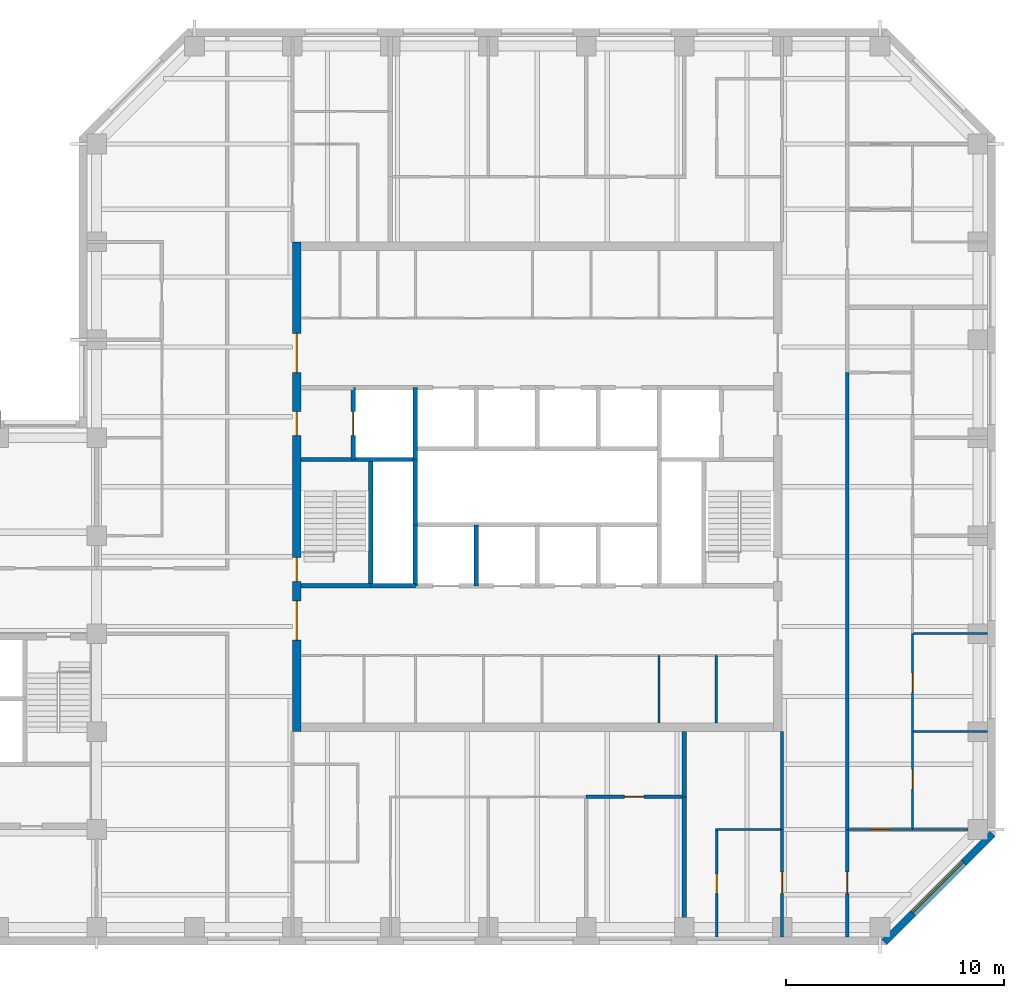
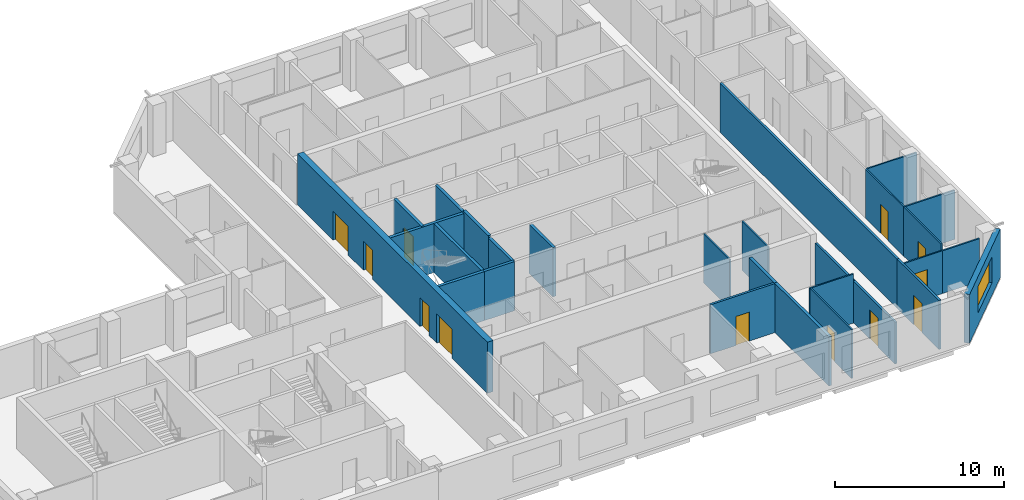
# One storey, part 5 of 10: 28 walls, 12 doors, 1 window, 13 openings.
"""IFC4 building model written with IfcOpenShell, lengths in metres."""

from ifc_helpers import new_model, si_unit, direction, frame, frame_2d, origin, place, context, subcontext, project, spatial, rectangle, extrude, material, layer, layer_set, constituent, constituent_set, type_object, element, fill, save


model = new_model("IFC4")

# Units and contexts
model_context = context("Model", 3, precision=1e-05, world=origin(), true_north=direction((0.0, 1.0)))
body_context = subcontext(model_context, "Body", "Model", "MODEL_VIEW")
ifc_project = project(units=[si_unit("LENGTHUNIT", "METRE"), si_unit("AREAUNIT", "SQUARE_METRE"), si_unit("VOLUMEUNIT", "CUBIC_METRE"), si_unit("PLANEANGLEUNIT", "RADIAN"), si_unit("MASSUNIT", "GRAM", prefix="KILO")], contexts=[model_context])

# Site, building, storey
site_placement = place(None, origin())
site = spatial("IfcSite", under=ifc_project, at=site_placement, CompositionType="ELEMENT")
building_placement = place(site_placement, origin())
building = spatial("IfcBuilding", under=site, at=building_placement, Name="Quoin Convention Tower", CompositionType="ELEMENT")
storey_placement = place(building_placement, frame((0.0, 0.0, 184.699951171875)))
storey = spatial("IfcBuildingStorey", under=building, at=storey_placement, Name="L48", CompositionType="ELEMENT", Elevation=184.699951171875)

# Wall, opening, door
ifc_material_1 = material(Name="Plasterboard")
ifc_layer_1 = layer(ifc_material_1, 0.012451171875, Name="Finish")
ifc_material_2 = material(Name="Steel stud framing", Category="steel")
ifc_layer_2 = layer(ifc_material_2, 0.125, Name="Structure")
ifc_layer_3 = layer(ifc_material_1, 0.012451171875, Name="Finish")
ifc_layer_set_1 = layer_set([ifc_layer_1, ifc_layer_2, ifc_layer_3], Name="Steel stud framing")
wall_type_1 = type_object("IfcWallType", Name="Acoustic partition 150", PredefinedType="PARTITIONING", material=ifc_layer_set_1)
wall_1_placement = place(storey_placement, frame((58.5, 46.5, 0.0), z_axis=(0.0, 0.0, 1.0), x_axis=(1.0, 0.0, 0.0)))
wall_1 = element("IfcWall", 1, at=wall_1_placement, inside=storey, type_object=wall_type_1, Name="pw-L48-010", PredefinedType="PARTITIONING", context=body_context, shape_type="SweptSolid", body=[
    extrude(rectangle(XDim=4.39990234375, YDim=0.14990234375, at=frame_2d((2.199951171875, 0.0))), origin(), (0.0, 0.0, 1.0), 3.550048828125),
])
opening_1_placement = place(wall_1_placement, frame((1.75, 0.0, 0.0)))
opening_1 = element("IfcOpeningElement", 2, at=opening_1_placement, cuts=wall_1, Name="Opening DOH6-03", PredefinedType="OPENING", context=body_context, shape_type="SweptSolid", body=[
    extrude(rectangle(XDim=0.89990234375, YDim=2.10009765625, at=frame_2d((0.449951171875, 1.050048828125))), frame((0.0, 0.0849609375, 0.0), z_axis=(0.0, -1.0, 0.0), x_axis=(1.0, 0.0, 0.0)), (0.0, 0.0, 1.0), 0.169921875),
])
ifc_material_3 = material(Name="Steel door leaf", Category="steel")
door_type_1 = type_object("IfcDoorType", Name="Office door 900 x 2100", OperationType="SINGLE_SWING_RIGHT", PredefinedType="DOOR", material=ifc_material_3)
door_1_placement = place(opening_1_placement, origin())
door_1 = element("IfcDoor", 3, at=door_1_placement, inside=storey, type_object=door_type_1, Name="dr-L48-20", OperationType="SINGLE_SWING_RIGHT", OverallHeight=2.10009765625, OverallWidth=0.89990234375, PredefinedType="DOOR", context=body_context, shape_type="SweptSolid", body=[
    extrude(rectangle(XDim=0.89990234375, YDim=2.10009765625, at=frame_2d((0.449951171875, 1.050048828125))), frame((0.0, 0.02490234375, 0.0), z_axis=(0.0, -1.0, 0.0), x_axis=(1.0, 0.0, 0.0)), (0.0, 0.0, 1.0), 0.050048828125),
])
fill(opening_1, door_1)

# Wall, opening, window
ifc_material_4 = material(Name="Brick masonry", Category="masonry")
ifc_layer_4 = layer(ifc_material_4, 0.35009765625)
ifc_layer_set_2 = layer_set([ifc_layer_4], Name="Brick masonry")
wall_type_2 = type_object("IfcWallType", Name="Brick facade wall", PredefinedType="STANDARD", material=ifc_layer_set_2)
wall_2_placement = place(storey_placement, frame((72.20751953125, 39.82373046875, 0.0), z_axis=(0.0, 0.0, 1.0), x_axis=(0.707106781187, 0.707106781187, 0.0)))
wall_2 = element("IfcWall", 4, at=wall_2_placement, inside=storey, type_object=wall_type_2, Name="fw-L48-72000_40500", PredefinedType="STANDARD", context=body_context, shape_type="SweptSolid", body=[
    extrude(rectangle(XDim=7.02685546875, YDim=0.35009765625, at=frame_2d((3.513427734375, 0.0))), origin(), (0.0, 0.0, 1.0), 3.525146484375),
])
opening_2_placement = place(wall_2_placement, frame((1.86328125, 0.0, 0.89990234375)))
opening_2 = element("IfcOpeningElement", 5, at=opening_2_placement, cuts=wall_2, Name="Opening W-02", PredefinedType="OPENING", context=body_context, shape_type="SweptSolid", body=[
    extrude(rectangle(XDim=3.300048828125, YDim=1.89990234375, at=frame_2d((1.64990234375, 0.949951171875))), frame((0.0, 0.18505859375, 0.0), z_axis=(0.0, -1.0, 0.0), x_axis=(1.0, 0.0, 0.0)), (0.0, 0.0, 1.0), 0.3701171875),
])
ifc_material_5 = material(Name="Aluminium", Category="aluminium")
ifc_constituent_1 = constituent(ifc_material_5, Name="Frame")
ifc_material_6 = material(Name="Insulated glass", Category="glass")
ifc_constituent_2 = constituent(ifc_material_6, Name="Glazing")
ifc_constituent_set = constituent_set(constituents=[ifc_constituent_1, ifc_constituent_2], Name="Aluminium")
window_type = type_object("IfcWindowType", Name="Office window", PartitioningType="DOUBLE_PANEL_VERTICAL", PredefinedType="WINDOW", material=ifc_constituent_set)
window_placement = place(opening_2_placement, origin())
window = element("IfcWindow", 6, at=window_placement, inside=storey, type_object=window_type, Name="win-L48-74692_42308", OverallHeight=1.89990234375, OverallWidth=3.300048828125, PartitioningType="SINGLE_PANEL", PredefinedType="WINDOW", context=body_context, shape_type="SweptSolid", body=[
    extrude(rectangle(XDim=3.300048828125, YDim=1.89990234375, at=frame_2d((1.64990234375, 0.949951171875))), frame((0.0, 0.0849609375, 0.0), z_axis=(0.0, -1.0, 0.0), x_axis=(1.0, 0.0, 0.0)), (0.0, 0.0, 1.0), 0.06005859375),
])
fill(opening_2, window)

# Walls
ifc_layer_5 = layer(ifc_material_1, 0.012451171875, Name="Finish")
ifc_layer_6 = layer(ifc_material_2, 0.074951171875, Name="Structure")
ifc_layer_7 = layer(ifc_material_1, 0.012451171875, Name="Finish")
ifc_layer_set_3 = layer_set([ifc_layer_5, ifc_layer_6, ifc_layer_7], Name="Steel stud framing")
wall_type_3 = type_object("IfcWallType", Name="Core partition wall", PredefinedType="PARTITIONING", material=ifc_layer_set_3)
for number, where, z_axis, x_axis, name in (
    (7, (61.85009765625, 49.89990234375, 0.0), (0.0, 0.0, 1.0), (0.0, 1.0, 0.0), "cr-C1-L48-v16850_400"),
    (8, (64.47509765625, 49.89990234375, 0.0), (0.0, 0.0, 1.0), (0.0, 1.0, 0.0), "cr-C1-L48-v19475_400"),
):
    element("IfcWall", number, at=place(storey_placement, frame(where, z_axis=z_axis, x_axis=x_axis)), inside=storey, type_object=wall_type_3, Name=name, PredefinedType="PARTITIONING", context=body_context, shape_type="SweptSolid", body=[
        extrude(rectangle(XDim=3.10009765625, YDim=0.10009765625, at=frame_2d((1.550048828125, 0.0))), origin(), (0.0, 0.0, 1.0), 3.550048828125),
    ])
ifc_material_7 = material(Name="Concrete C50", Category="concrete")
ifc_layer_8 = layer(ifc_material_7, 0.199951171875)
ifc_layer_set_4 = layer_set([ifc_layer_8], Name="Concrete C50")
wall_type_4 = type_object("IfcWallType", Name="Core shaft wall", PredefinedType="SOLIDWALL", material=ifc_layer_set_4)
wall_3_placement = place(storey_placement, frame((48.60009765625, 56.199951171875, 0.0), z_axis=(0.0, 0.0, 1.0), x_axis=(1.0, 0.0, 0.0)))
element("IfcWall", 9, at=wall_3_placement, inside=storey, type_object=wall_type_4, Name="cr-C1-L48-h6700_3600", PredefinedType="SOLIDWALL", context=body_context, shape_type="SweptSolid", body=[
    extrude(rectangle(XDim=2.0498046875, YDim=0.199951171875, at=frame_2d((1.02490234375, 0.0))), origin(), (0.0, 0.0, 1.0), 3.550048828125),
])
wall_4_placement = place(storey_placement, frame((45.39990234375, 56.199951171875, 0.0), z_axis=(0.0, 0.0, 1.0), x_axis=(1.0, 0.0, 0.0)))
element("IfcWall", 10, at=wall_4_placement, inside=storey, type_object=wall_type_4, Name="cr-C1-L48-h6700_400", PredefinedType="SOLIDWALL", context=body_context, shape_type="SweptSolid", body=[
    extrude(rectangle(XDim=3.2001953125, YDim=0.199951171875, at=frame_2d((1.60009765625, 0.0))), origin(), (0.0, 0.0, 1.0), 3.550048828125),
])
wall_5_placement = place(storey_placement, frame((45.39990234375, 62.0, 0.0), z_axis=(0.0, 0.0, 1.0), x_axis=(1.0, 0.0, 0.0)))
element("IfcWall", 11, at=wall_5_placement, inside=storey, type_object=wall_type_4, Name="cr-C1-L48-h12500_400", PredefinedType="SOLIDWALL", context=body_context, shape_type="SweptSolid", body=[
    extrude(rectangle(XDim=5.25, YDim=0.199951171875, at=frame_2d((2.625, 0.0))), origin(), (0.0, 0.0, 1.0), 3.550048828125),
])

# Wall, opening, door
wall_6_placement = place(storey_placement, frame((47.800048828125, 62.0, 0.0), z_axis=(0.0, 0.0, 1.0), x_axis=(0.0, 1.0, 0.0)))
wall_6 = element("IfcWall", 12, at=wall_6_placement, inside=storey, type_object=wall_type_4, Name="cr-C1-L48-v2800_12500", PredefinedType="SOLIDWALL", context=body_context, shape_type="SweptSolid", body=[
    extrude(rectangle(XDim=3.300048828125, YDim=0.199951171875, at=frame_2d((1.64990234375, 0.0))), origin(), (0.0, 0.0, 1.0), 3.550048828125),
])
opening_3_placement = place(wall_6_placement, frame((1.10009765625, 0.0, 0.0)))
opening_3 = element("IfcOpeningElement", 13, at=opening_3_placement, cuts=wall_6, Name="Opening LDFL1", PredefinedType="OPENING", context=body_context, shape_type="SweptSolid", body=[
    extrude(rectangle(XDim=1.10009765625, YDim=2.10009765625, at=frame_2d((0.550048828125, 1.050048828125))), frame((0.0, 0.10986328125, 0.0), z_axis=(0.0, -1.0, 0.0), x_axis=(1.0, 0.0, 0.0)), (0.0, 0.0, 1.0), 0.219970703125),
])
door_type_2 = type_object("IfcDoorType", Name="Lift landing door 1100 x 2100", OperationType="DOUBLE_DOOR_SLIDING", PredefinedType="DOOR", material=ifc_material_3)
door_2_placement = place(opening_3_placement, origin())
door_2 = element("IfcDoor", 14, at=door_2_placement, inside=storey, type_object=door_type_2, Name="cd-C1-L48-FLW-FFW-LDFL1", OperationType="DOUBLE_DOOR_SLIDING", OverallHeight=2.10009765625, OverallWidth=1.10009765625, PredefinedType="DOOR", context=body_context, shape_type="SweptSolid", body=[
    extrude(rectangle(XDim=1.10009765625, YDim=2.10009765625, at=frame_2d((0.550048828125, 1.050048828125))), frame((0.0, 0.02490234375, 0.0), z_axis=(0.0, -1.0, 0.0), x_axis=(1.0, 0.0, 0.0)), (0.0, 0.0, 1.0), 0.050048828125),
])
fill(opening_3, door_2)

# Walls
wall_7_placement = place(storey_placement, frame((48.60009765625, 56.199951171875, 0.0), z_axis=(0.0, 0.0, 1.0), x_axis=(0.0, 1.0, 0.0)))
element("IfcWall", 15, at=wall_7_placement, inside=storey, type_object=wall_type_4, Name="cr-C1-L48-v3600_6700", PredefinedType="SOLIDWALL", context=body_context, shape_type="SweptSolid", body=[
    extrude(rectangle(XDim=5.800048828125, YDim=0.199951171875, at=frame_2d((2.89990234375, 0.0))), origin(), (0.0, 0.0, 1.0), 3.550048828125),
])
wall_8_placement = place(storey_placement, frame((50.64990234375, 56.199951171875, 0.0), z_axis=(0.0, 0.0, 1.0), x_axis=(0.0, 1.0, 0.0)))
element("IfcWall", 16, at=wall_8_placement, inside=storey, type_object=wall_type_4, Name="cr-C1-L48-v5650_6700", PredefinedType="SOLIDWALL", context=body_context, shape_type="SweptSolid", body=[
    extrude(rectangle(XDim=2.800048828125, YDim=0.199951171875, at=frame_2d((1.39990234375, 0.0))), origin(), (0.0, 0.0, 1.0), 3.550048828125),
])
wall_9_placement = place(storey_placement, frame((50.64990234375, 62.0, 0.0), z_axis=(0.0, 0.0, 1.0), x_axis=(0.0, 1.0, 0.0)))
element("IfcWall", 17, at=wall_9_placement, inside=storey, type_object=wall_type_4, Name="cr-C1-L48-v5650_12500", PredefinedType="SOLIDWALL", context=body_context, shape_type="SweptSolid", body=[
    extrude(rectangle(XDim=3.300048828125, YDim=0.199951171875, at=frame_2d((1.64990234375, 0.0))), origin(), (0.0, 0.0, 1.0), 3.550048828125),
])
wall_10_placement = place(storey_placement, frame((53.449951171875, 56.199951171875, 0.0), z_axis=(0.0, 0.0, 1.0), x_axis=(0.0, 1.0, 0.0)))
element("IfcWall", 18, at=wall_10_placement, inside=storey, type_object=wall_type_4, Name="cr-C1-L48-v8450_6700", PredefinedType="SOLIDWALL", context=body_context, shape_type="SweptSolid", body=[
    extrude(rectangle(XDim=2.800048828125, YDim=0.199951171875, at=frame_2d((1.39990234375, 0.0))), origin(), (0.0, 0.0, 1.0), 3.550048828125),
])
ifc_layer_9 = layer(ifc_material_7, 0.199951171875)
ifc_layer_set_5 = layer_set([ifc_layer_9], Name="Concrete C50")
wall_type_5 = type_object("IfcWallType", Name="Core shaft wall to the floor level over", PredefinedType="SOLIDWALL", material=ifc_layer_set_5)
wall_11_placement = place(storey_placement, frame((50.64990234375, 59.0, 0.0), z_axis=(0.0, 0.0, 1.0), x_axis=(0.0, 1.0, 0.0)))
element("IfcWall", 19, at=wall_11_placement, inside=storey, type_object=wall_type_5, Name="cr-C1-L48-v5650_9500", PredefinedType="SOLIDWALL", context=body_context, shape_type="SweptSolid", body=[
    extrude(rectangle(XDim=3.0, YDim=0.199951171875, at=frame_2d((1.5, 0.0))), origin(), (0.0, 0.0, 1.0), 3.699951171875),
])

# Wall, opening, door
ifc_layer_10 = layer(ifc_material_1, 0.012451171875, Name="Finish")
ifc_layer_11 = layer(ifc_material_2, 0.125, Name="Structure")
ifc_layer_12 = layer(ifc_material_1, 0.012451171875, Name="Finish")
ifc_layer_set_6 = layer_set([ifc_layer_10, ifc_layer_11, ifc_layer_12], Name="Steel stud framing")
wall_type_6 = type_object("IfcWallType", Name="Corridor wall 150", PredefinedType="PARTITIONING", material=ifc_layer_set_6)
wall_12_placement = place(storey_placement, frame((70.5, 40.050048828125, 0.0), z_axis=(0.0, 0.0, 1.0), x_axis=(0.0, 1.0, 0.0)))
wall_12 = element("IfcWall", 20, at=wall_12_placement, inside=storey, type_object=wall_type_6, Name="pw-L48-053", PredefinedType="PARTITIONING", context=body_context, shape_type="SweptSolid", body=[
    extrude(rectangle(XDim=4.949951171875, YDim=0.14990234375, at=frame_2d((2.47509765625, 0.0))), origin(), (0.0, 0.0, 1.0), 3.550048828125),
])
opening_4_placement = place(wall_12_placement, frame((2.0, 0.0, 0.0)))
opening_4 = element("IfcOpeningElement", 21, at=opening_4_placement, cuts=wall_12, Name="Opening DOH6-18", PredefinedType="OPENING", context=body_context, shape_type="SweptSolid", body=[
    extrude(rectangle(XDim=1.0, YDim=2.10009765625, at=frame_2d((0.5, 1.050048828125))), frame((0.0, 0.0849609375, 0.0), z_axis=(0.0, -1.0, 0.0), x_axis=(1.0, 0.0, 0.0)), (0.0, 0.0, 1.0), 0.169921875),
])
door_type_3 = type_object("IfcDoorType", Name="Tenancy entrance door 1000 x 2100", OperationType="DOUBLE_DOOR_SINGLE_SWING", PredefinedType="DOOR", material=ifc_material_3)
door_3_placement = place(opening_4_placement, frame((1.0, 0.0, 0.0), z_axis=(0.0, 0.0, 1.0), x_axis=(-1.0, 0.0, 0.0)))
door_3 = element("IfcDoor", 22, at=door_3_placement, inside=storey, type_object=door_type_3, Name="dr-L48-31", OperationType="DOUBLE_DOOR_SINGLE_SWING", OverallHeight=2.10009765625, OverallWidth=1.0, PredefinedType="DOOR", context=body_context, shape_type="SweptSolid", body=[
    extrude(rectangle(XDim=1.0, YDim=2.10009765625, at=frame_2d((0.5, 1.050048828125))), frame((0.0, 0.02490234375, 0.0), z_axis=(0.0, -1.0, 0.0), x_axis=(1.0, 0.0, 0.0)), (0.0, 0.0, 1.0), 0.050048828125),
])
fill(opening_4, door_3)

# Wall
wall_13_placement = place(storey_placement, frame((70.5, 45.0, 0.0), z_axis=(0.0, 0.0, 1.0), x_axis=(0.0, 1.0, 0.0)))
element("IfcWall", 23, at=wall_13_placement, inside=storey, type_object=wall_type_6, Name="pw-L48-059", PredefinedType="PARTITIONING", context=body_context, shape_type="SweptSolid", body=[
    extrude(rectangle(XDim=21.0, YDim=0.14990234375, at=frame_2d((10.5, 0.0))), origin(), (0.0, 0.0, 1.0), 3.550048828125),
])

# Wall, opening, door
ifc_layer_13 = layer(ifc_material_1, 0.012451171875, Name="Finish")
ifc_layer_14 = layer(ifc_material_2, 0.125, Name="Structure")
ifc_layer_15 = layer(ifc_material_1, 0.012451171875, Name="Finish")
ifc_layer_set_7 = layer_set([ifc_layer_13, ifc_layer_14, ifc_layer_15], Name="Steel stud framing")
wall_type_7 = type_object("IfcWallType", Name="Corridor wall 150 under beam 528", PredefinedType="PARTITIONING", material=ifc_layer_set_7)
wall_14_placement = place(storey_placement, frame((67.5, 40.050048828125, 0.0), z_axis=(0.0, 0.0, 1.0), x_axis=(0.0, 1.0, 0.0)))
wall_14 = element("IfcWall", 24, at=wall_14_placement, inside=storey, type_object=wall_type_7, Name="pw-L48-052", PredefinedType="PARTITIONING", context=body_context, shape_type="SweptSolid", body=[
    extrude(rectangle(XDim=4.949951171875, YDim=0.14990234375, at=frame_2d((2.47509765625, 0.0))), origin(), (0.0, 0.0, 1.0), 3.02197265625),
])
opening_5_placement = place(wall_14_placement, frame((2.0, 0.0, 0.0)))
opening_5 = element("IfcOpeningElement", 25, at=opening_5_placement, cuts=wall_14, Name="Opening DOH6-17", PredefinedType="OPENING", context=body_context, shape_type="SweptSolid", body=[
    extrude(rectangle(XDim=1.0, YDim=2.10009765625, at=frame_2d((0.5, 1.050048828125))), frame((0.0, 0.0849609375, 0.0), z_axis=(0.0, -1.0, 0.0), x_axis=(1.0, 0.0, 0.0)), (0.0, 0.0, 1.0), 0.169921875),
])
door_4_placement = place(opening_5_placement, origin())
door_4 = element("IfcDoor", 26, at=door_4_placement, inside=storey, type_object=door_type_3, Name="dr-L48-21", OperationType="DOUBLE_DOOR_SINGLE_SWING", OverallHeight=2.10009765625, OverallWidth=1.0, PredefinedType="DOOR", context=body_context, shape_type="SweptSolid", body=[
    extrude(rectangle(XDim=1.0, YDim=2.10009765625, at=frame_2d((0.5, 1.050048828125))), frame((0.0, 0.02490234375, 0.0), z_axis=(0.0, -1.0, 0.0), x_axis=(1.0, 0.0, 0.0)), (0.0, 0.0, 1.0), 0.050048828125),
])
fill(opening_5, door_4)

# Wall
wall_15_placement = place(storey_placement, frame((67.5, 45.0, 0.0), z_axis=(0.0, 0.0, 1.0), x_axis=(0.0, 1.0, 0.0)))
element("IfcWall", 27, at=wall_15_placement, inside=storey, type_object=wall_type_7, Name="pw-L48-058", PredefinedType="PARTITIONING", context=body_context, shape_type="SweptSolid", body=[
    extrude(rectangle(XDim=4.5, YDim=0.14990234375, at=frame_2d((2.25, 0.0))), origin(), (0.0, 0.0, 1.0), 3.02197265625),
])

# Wall, openings, doors
ifc_layer_16 = layer(ifc_material_7, 0.39990234375)
ifc_layer_set_8 = layer_set([ifc_layer_16], Name="Concrete C50")
wall_type_8 = type_object("IfcWallType", Name="RC CORE WALL 400 C50", PredefinedType="SHEAR", material=ifc_layer_set_8)
wall_16_placement = place(storey_placement, frame((45.199951171875, 49.5, 0.0), z_axis=(0.0, 0.0, 1.0), x_axis=(0.0, 1.0, 0.0)))
wall_16 = element("IfcWall", 28, at=wall_16_placement, inside=storey, type_object=wall_type_8, Name="cwl-C1-L48-W", PredefinedType="SHEAR", context=body_context, shape_type="SweptSolid", body=[
    extrude(rectangle(XDim=22.5, YDim=0.39990234375, at=frame_2d((11.25, 0.0))), origin(), (0.0, 0.0, 1.0), 3.699951171875),
])
opening_6_placement = place(wall_16_placement, frame((4.199951171875, 0.0, 0.0)))
opening_6 = element("IfcOpeningElement", 29, at=opening_6_placement, cuts=wall_16, Name="Opening DCV4-41", PredefinedType="OPENING", context=body_context, shape_type="SweptSolid", body=[
    extrude(rectangle(XDim=1.800048828125, YDim=2.10009765625, at=frame_2d((0.89990234375, 1.050048828125))), frame((0.0, 0.2099609375, 0.0), z_axis=(0.0, -1.0, 0.0), x_axis=(1.0, 0.0, 0.0)), (0.0, 0.0, 1.0), 0.419921875),
])
opening_7_placement = place(wall_16_placement, frame((6.89990234375, 0.0, 0.0)))
opening_7 = element("IfcOpeningElement", 30, at=opening_7_placement, cuts=wall_16, Name="Opening SD1", PredefinedType="OPENING", context=body_context, shape_type="SweptSolid", body=[
    extrude(rectangle(XDim=1.10009765625, YDim=2.10009765625, at=frame_2d((0.550048828125, 1.050048828125))), frame((0.0, 0.2099609375, 0.0), z_axis=(0.0, -1.0, 0.0), x_axis=(1.0, 0.0, 0.0)), (0.0, 0.0, 1.0), 0.419921875),
])
opening_8_placement = place(wall_16_placement, frame((13.60009765625, 0.0, 0.0)))
opening_8 = element("IfcOpeningElement", 31, at=opening_8_placement, cuts=wall_16, Name="Opening DCV4-40", PredefinedType="OPENING", context=body_context, shape_type="SweptSolid", body=[
    extrude(rectangle(XDim=1.10009765625, YDim=2.10009765625, at=frame_2d((0.550048828125, 1.050048828125))), frame((0.0, 0.2099609375, 0.0), z_axis=(0.0, -1.0, 0.0), x_axis=(1.0, 0.0, 0.0)), (0.0, 0.0, 1.0), 0.419921875),
])
opening_9_placement = place(wall_16_placement, frame((16.5, 0.0, 0.0)))
opening_9 = element("IfcOpeningElement", 32, at=opening_9_placement, cuts=wall_16, Name="Opening DCV4-41", PredefinedType="OPENING", context=body_context, shape_type="SweptSolid", body=[
    extrude(rectangle(XDim=1.800048828125, YDim=2.10009765625, at=frame_2d((0.89990234375, 1.050048828125))), frame((0.0, 0.2099609375, 0.0), z_axis=(0.0, -1.0, 0.0), x_axis=(1.0, 0.0, 0.0)), (0.0, 0.0, 1.0), 0.419921875),
])
door_type_4 = type_object("IfcDoorType", Name="Fire-fighting lobby door 1100 x 2100", OperationType="SINGLE_SWING_LEFT", PredefinedType="DOOR", material=ifc_material_3)
door_5_placement = place(opening_8_placement, frame((1.10009765625, 0.0, 0.0), z_axis=(0.0, 0.0, 1.0), x_axis=(-1.0, 0.0, 0.0)))
door_5 = element("IfcDoor", 33, at=door_5_placement, inside=storey, type_object=door_type_4, Name="cd-C1-L48-FFW-W", OperationType="SINGLE_SWING_LEFT", OverallHeight=2.10009765625, OverallWidth=1.10009765625, PredefinedType="DOOR", context=body_context, shape_type="SweptSolid", body=[
    extrude(rectangle(XDim=1.10009765625, YDim=2.10009765625, at=frame_2d((0.550048828125, 1.050048828125))), frame((0.0, 0.02490234375, 0.0), z_axis=(0.0, -1.0, 0.0), x_axis=(1.0, 0.0, 0.0)), (0.0, 0.0, 1.0), 0.050048828125),
])
fill(opening_8, door_5)
door_type_5 = type_object("IfcDoorType", Name="Lift lobby door 1800 x 2100", OperationType="SINGLE_SWING_LEFT", PredefinedType="DOOR", material=ifc_material_3)
door_6_placement = place(opening_6_placement, frame((1.800048828125, 0.0, 0.0), z_axis=(0.0, 0.0, 1.0), x_axis=(-1.0, 0.0, 0.0)))
door_6 = element("IfcDoor", 34, at=door_6_placement, inside=storey, type_object=door_type_5, Name="cd-C1-L48-lobA-W", OperationType="SINGLE_SWING_LEFT", OverallHeight=2.10009765625, OverallWidth=1.800048828125, PredefinedType="DOOR", context=body_context, shape_type="SweptSolid", body=[
    extrude(rectangle(XDim=1.800048828125, YDim=2.10009765625, at=frame_2d((0.89990234375, 1.050048828125))), frame((0.0, 0.02490234375, 0.0), z_axis=(0.0, -1.0, 0.0), x_axis=(1.0, 0.0, 0.0)), (0.0, 0.0, 1.0), 0.050048828125),
])
fill(opening_6, door_6)
door_7_placement = place(opening_9_placement, frame((1.800048828125, 0.0, 0.0), z_axis=(0.0, 0.0, 1.0), x_axis=(-1.0, 0.0, 0.0)))
door_7 = element("IfcDoor", 35, at=door_7_placement, inside=storey, type_object=door_type_5, Name="cd-C1-L48-lobB-W", OperationType="SINGLE_SWING_LEFT", OverallHeight=2.10009765625, OverallWidth=1.800048828125, PredefinedType="DOOR", context=body_context, shape_type="SweptSolid", body=[
    extrude(rectangle(XDim=1.800048828125, YDim=2.10009765625, at=frame_2d((0.89990234375, 1.050048828125))), frame((0.0, 0.02490234375, 0.0), z_axis=(0.0, -1.0, 0.0), x_axis=(1.0, 0.0, 0.0)), (0.0, 0.0, 1.0), 0.050048828125),
])
fill(opening_9, door_7)
door_type_6 = type_object("IfcDoorType", Name="Stair door 1100 x 2100", OperationType="SINGLE_SWING_RIGHT", PredefinedType="DOOR", material=ifc_material_3)
door_8_placement = place(opening_7_placement, frame((1.10009765625, 0.0, 0.0), z_axis=(0.0, 0.0, 1.0), x_axis=(-1.0, 0.0, 0.0)))
door_8 = element("IfcDoor", 36, at=door_8_placement, inside=storey, type_object=door_type_6, Name="cd-C1-L48-STW-W", OperationType="SINGLE_SWING_RIGHT", OverallHeight=2.10009765625, OverallWidth=1.10009765625, PredefinedType="DOOR", context=body_context, shape_type="SweptSolid", body=[
    extrude(rectangle(XDim=1.10009765625, YDim=2.10009765625, at=frame_2d((0.550048828125, 1.050048828125))), frame((0.0, 0.02490234375, 0.0), z_axis=(0.0, -1.0, 0.0), x_axis=(1.0, 0.0, 0.0)), (0.0, 0.0, 1.0), 0.050048828125),
])
fill(opening_7, door_8)

# Walls
ifc_layer_17 = layer(ifc_material_1, 0.012451171875, Name="Finish")
ifc_layer_18 = layer(ifc_material_2, 0.074951171875, Name="Structure")
ifc_layer_19 = layer(ifc_material_1, 0.012451171875, Name="Finish")
ifc_layer_set_9 = layer_set([ifc_layer_17, ifc_layer_18, ifc_layer_19], Name="Steel stud framing")
wall_type_9 = type_object("IfcWallType", Name="Stud partition 100", PredefinedType="PARTITIONING", material=ifc_layer_set_9)
wall_17_placement = place(storey_placement, frame((64.449951171875, 45.0, 0.0), z_axis=(0.0, 0.0, 1.0), x_axis=(1.0, 0.0, 0.0)))
element("IfcWall", 37, at=wall_17_placement, inside=storey, type_object=wall_type_9, Name="pw-L48-004", PredefinedType="PARTITIONING", context=body_context, shape_type="SweptSolid", body=[
    extrude(rectangle(XDim=2.97509765625, YDim=0.10009765625, at=frame_2d((1.487548828125, 0.0))), origin(), (0.0, 0.0, 1.0), 3.550048828125),
])
for number, where, z_axis, x_axis, name in (
    (38, (73.550048828125, 49.5, 0.0), (0.0, 0.0, 1.0), (1.0, 0.0, 0.0), "pw-L48-013"),
    (39, (73.550048828125, 54.0, 0.0), (0.0, 0.0, 1.0), (1.0, 0.0, 0.0), "pw-L48-017"),
):
    element("IfcWall", number, at=place(storey_placement, frame(where, z_axis=z_axis, x_axis=x_axis)), inside=storey, type_object=wall_type_9, Name=name, PredefinedType="PARTITIONING", context=body_context, shape_type="SweptSolid", body=[
        extrude(rectangle(XDim=3.39990234375, YDim=0.10009765625, at=frame_2d((1.699951171875, 0.0))), origin(), (0.0, 0.0, 1.0), 3.550048828125),
    ])

# Wall, opening, door
wall_18_placement = place(storey_placement, frame((64.5, 40.050048828125, 0.0), z_axis=(0.0, 0.0, 1.0), x_axis=(0.0, 1.0, 0.0)))
wall_18 = element("IfcWall", 40, at=wall_18_placement, inside=storey, type_object=wall_type_9, Name="pw-L48-051", PredefinedType="PARTITIONING", context=body_context, shape_type="SweptSolid", body=[
    extrude(rectangle(XDim=4.89990234375, YDim=0.10009765625, at=frame_2d((2.449951171875, 0.0))), origin(), (0.0, 0.0, 1.0), 3.550048828125),
])
opening_10_placement = place(wall_18_placement, frame((2.0, 0.0, 0.0)))
opening_10 = element("IfcOpeningElement", 41, at=opening_10_placement, cuts=wall_18, Name="Opening DOH6-16", PredefinedType="OPENING", context=body_context, shape_type="SweptSolid", body=[
    extrude(rectangle(XDim=0.89990234375, YDim=2.10009765625, at=frame_2d((0.449951171875, 1.050048828125))), frame((0.0, 0.06005859375, 0.0), z_axis=(0.0, -1.0, 0.0), x_axis=(1.0, 0.0, 0.0)), (0.0, 0.0, 1.0), 0.1201171875),
])
door_9_placement = place(opening_10_placement, origin())
door_9 = element("IfcDoor", 42, at=door_9_placement, inside=storey, type_object=door_type_1, Name="dr-L48-22", OperationType="SINGLE_SWING_RIGHT", OverallHeight=2.10009765625, OverallWidth=0.89990234375, PredefinedType="DOOR", context=body_context, shape_type="SweptSolid", body=[
    extrude(rectangle(XDim=0.89990234375, YDim=2.10009765625, at=frame_2d((0.449951171875, 1.050048828125))), frame((0.0, 0.02490234375, 0.0), z_axis=(0.0, -1.0, 0.0), x_axis=(1.0, 0.0, 0.0)), (0.0, 0.0, 1.0), 0.050048828125),
])
fill(opening_10, door_9)

wall_19_placement = place(storey_placement, frame((73.5, 45.050048828125, 0.0), z_axis=(0.0, 0.0, 1.0), x_axis=(0.0, 1.0, 0.0)))
wall_19 = element("IfcWall", 43, at=wall_19_placement, inside=storey, type_object=wall_type_9, Name="pw-L48-061", PredefinedType="PARTITIONING", context=body_context, shape_type="SweptSolid", body=[
    extrude(rectangle(XDim=4.449951171875, YDim=0.10009765625, at=frame_2d((2.22509765625, 0.0))), origin(), (0.0, 0.0, 1.0), 3.550048828125),
])
opening_11_placement = place(wall_19_placement, frame((1.800048828125, 0.0, 0.0)))
opening_11 = element("IfcOpeningElement", 44, at=opening_11_placement, cuts=wall_19, Name="Opening DOH6-22", PredefinedType="OPENING", context=body_context, shape_type="SweptSolid", body=[
    extrude(rectangle(XDim=0.89990234375, YDim=2.10009765625, at=frame_2d((0.449951171875, 1.050048828125))), frame((0.0, 0.06005859375, 0.0), z_axis=(0.0, -1.0, 0.0), x_axis=(1.0, 0.0, 0.0)), (0.0, 0.0, 1.0), 0.1201171875),
])
door_10_placement = place(opening_11_placement, origin())
door_10 = element("IfcDoor", 45, at=door_10_placement, inside=storey, type_object=door_type_1, Name="dr-L48-33", OperationType="SINGLE_SWING_RIGHT", OverallHeight=2.10009765625, OverallWidth=0.89990234375, PredefinedType="DOOR", context=body_context, shape_type="SweptSolid", body=[
    extrude(rectangle(XDim=0.89990234375, YDim=2.10009765625, at=frame_2d((0.449951171875, 1.050048828125))), frame((0.0, 0.02490234375, 0.0), z_axis=(0.0, -1.0, 0.0), x_axis=(1.0, 0.0, 0.0)), (0.0, 0.0, 1.0), 0.050048828125),
])
fill(opening_11, door_10)

wall_20_placement = place(storey_placement, frame((73.5, 49.5, 0.0), z_axis=(0.0, 0.0, 1.0), x_axis=(0.0, 1.0, 0.0)))
wall_20 = element("IfcWall", 46, at=wall_20_placement, inside=storey, type_object=wall_type_9, Name="pw-L48-067", PredefinedType="PARTITIONING", context=body_context, shape_type="SweptSolid", body=[
    extrude(rectangle(XDim=4.5, YDim=0.10009765625, at=frame_2d((2.25, 0.0))), origin(), (0.0, 0.0, 1.0), 3.550048828125),
])
opening_12_placement = place(wall_20_placement, frame((1.800048828125, 0.0, 0.0)))
opening_12 = element("IfcOpeningElement", 47, at=opening_12_placement, cuts=wall_20, Name="Opening DOH6-23", PredefinedType="OPENING", context=body_context, shape_type="SweptSolid", body=[
    extrude(rectangle(XDim=0.89990234375, YDim=2.10009765625, at=frame_2d((0.449951171875, 1.050048828125))), frame((0.0, 0.06005859375, 0.0), z_axis=(0.0, -1.0, 0.0), x_axis=(1.0, 0.0, 0.0)), (0.0, 0.0, 1.0), 0.1201171875),
])
door_11_placement = place(opening_12_placement, origin())
door_11 = element("IfcDoor", 48, at=door_11_placement, inside=storey, type_object=door_type_1, Name="dr-L48-34", OperationType="SINGLE_SWING_RIGHT", OverallHeight=2.10009765625, OverallWidth=0.89990234375, PredefinedType="DOOR", context=body_context, shape_type="SweptSolid", body=[
    extrude(rectangle(XDim=0.89990234375, YDim=2.10009765625, at=frame_2d((0.449951171875, 1.050048828125))), frame((0.0, 0.02490234375, 0.0), z_axis=(0.0, -1.0, 0.0), x_axis=(1.0, 0.0, 0.0)), (0.0, 0.0, 1.0), 0.050048828125),
])
fill(opening_12, door_11)

ifc_layer_20 = layer(ifc_material_1, 0.012451171875, Name="Finish")
ifc_layer_21 = layer(ifc_material_2, 0.074951171875, Name="Structure")
ifc_layer_22 = layer(ifc_material_1, 0.012451171875, Name="Finish")
ifc_layer_set_10 = layer_set([ifc_layer_20, ifc_layer_21, ifc_layer_22], Name="Steel stud framing")
wall_type_10 = type_object("IfcWallType", Name="Stud partition 100 under beam 454", PredefinedType="PARTITIONING", material=ifc_layer_set_10)
wall_21_placement = place(storey_placement, frame((70.574951171875, 45.0, 0.0), z_axis=(0.0, 0.0, 1.0), x_axis=(1.0, 0.0, 0.0)))
wall_21 = element("IfcWall", 49, at=wall_21_placement, inside=storey, type_object=wall_type_10, Name="pw-L48-005", PredefinedType="PARTITIONING", context=body_context, shape_type="SweptSolid", body=[
    extrude(rectangle(XDim=2.925048828125, YDim=0.10009765625, at=frame_2d((1.46240234375, 0.0))), origin(), (0.0, 0.0, 1.0), 3.095947265625),
])
opening_13_placement = place(wall_21_placement, frame((1.0, 0.0, 0.0)))
opening_13 = element("IfcOpeningElement", 50, at=opening_13_placement, cuts=wall_21, Name="Opening DOH6-01", PredefinedType="OPENING", context=body_context, shape_type="SweptSolid", body=[
    extrude(rectangle(XDim=0.89990234375, YDim=2.10009765625, at=frame_2d((0.449951171875, 1.050048828125))), frame((0.0, 0.06005859375, 0.0), z_axis=(0.0, -1.0, 0.0), x_axis=(1.0, 0.0, 0.0)), (0.0, 0.0, 1.0), 0.1201171875),
])
door_12_placement = place(opening_13_placement, origin())
door_12 = element("IfcDoor", 51, at=door_12_placement, inside=storey, type_object=door_type_1, Name="dr-L48-32", OperationType="SINGLE_SWING_RIGHT", OverallHeight=2.10009765625, OverallWidth=0.89990234375, PredefinedType="DOOR", context=body_context, shape_type="SweptSolid", body=[
    extrude(rectangle(XDim=0.89990234375, YDim=2.10009765625, at=frame_2d((0.449951171875, 1.050048828125))), frame((0.0, 0.02490234375, 0.0), z_axis=(0.0, -1.0, 0.0), x_axis=(1.0, 0.0, 0.0)), (0.0, 0.0, 1.0), 0.050048828125),
])
fill(opening_13, door_12)

# Walls
wall_22_placement = place(storey_placement, frame((73.5, 45.0, 0.0), z_axis=(0.0, 0.0, 1.0), x_axis=(1.0, 0.0, 0.0)))
element("IfcWall", 52, at=wall_22_placement, inside=storey, type_object=wall_type_10, Name="pw-L48-006", PredefinedType="PARTITIONING", context=body_context, shape_type="SweptSolid", body=[
    extrude(rectangle(XDim=2.550048828125, YDim=0.10009765625, at=frame_2d((1.27490234375, 0.0))), origin(), (0.0, 0.0, 1.0), 3.095947265625),
])
ifc_layer_23 = layer(ifc_material_1, 0.012451171875, Name="Finish")
ifc_layer_24 = layer(ifc_material_2, 0.175048828125, Name="Structure")
ifc_layer_25 = layer(ifc_material_1, 0.012451171875, Name="Finish")
ifc_layer_set_11 = layer_set([ifc_layer_23, ifc_layer_24, ifc_layer_25], Name="Steel stud framing")
wall_type_11 = type_object("IfcWallType", Name="Tenancy demising wall 200", PredefinedType="PARTITIONING", material=ifc_layer_set_11)
wall_23_placement = place(storey_placement, frame((63.0, 40.050048828125, 0.0), z_axis=(0.0, 0.0, 1.0), x_axis=(0.0, 1.0, 0.0)))
element("IfcWall", 53, at=wall_23_placement, inside=storey, type_object=wall_type_11, Name="pw-L48-050", PredefinedType="PARTITIONING", context=body_context, shape_type="SweptSolid", body=[
    extrude(rectangle(XDim=6.449951171875, YDim=0.199951171875, at=frame_2d((3.22509765625, 0.0))), origin(), (0.0, 0.0, 1.0), 3.550048828125),
])
wall_24_placement = place(storey_placement, frame((63.0, 46.5, 0.0), z_axis=(0.0, 0.0, 1.0), x_axis=(0.0, 1.0, 0.0)))
element("IfcWall", 54, at=wall_24_placement, inside=storey, type_object=wall_type_11, Name="pw-L48-063", PredefinedType="PARTITIONING", context=body_context, shape_type="SweptSolid", body=[
    extrude(rectangle(XDim=3.0, YDim=0.199951171875, at=frame_2d((1.5, 0.0))), origin(), (0.0, 0.0, 1.0), 3.550048828125),
])

save(model, "model.ifc")
